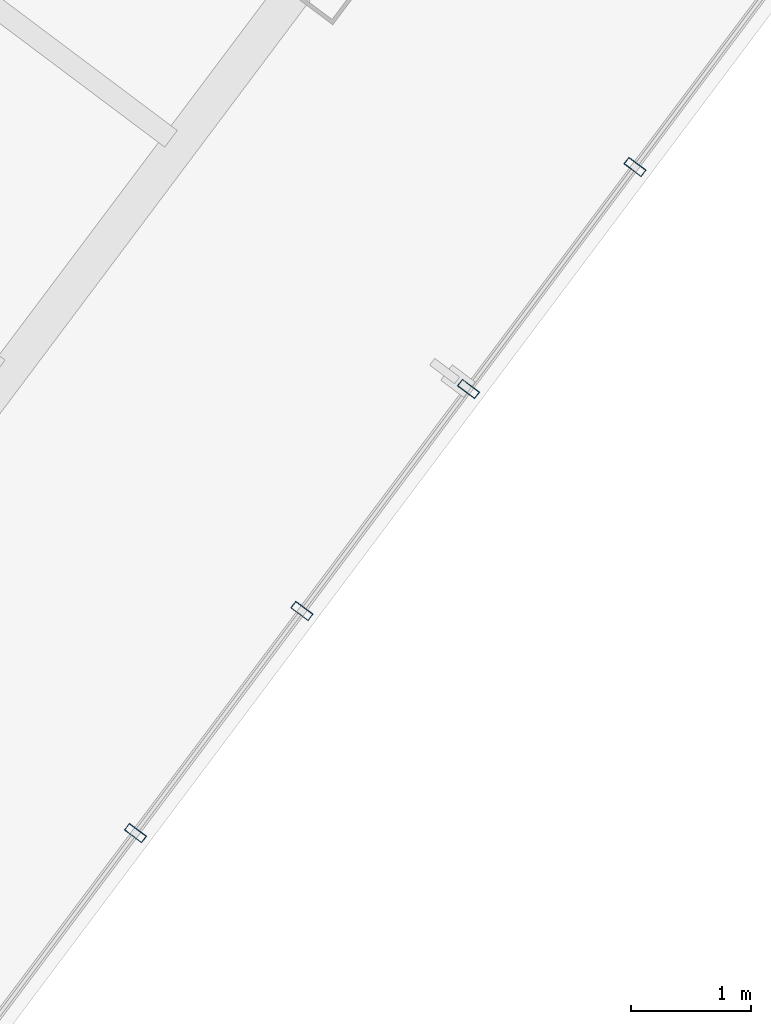
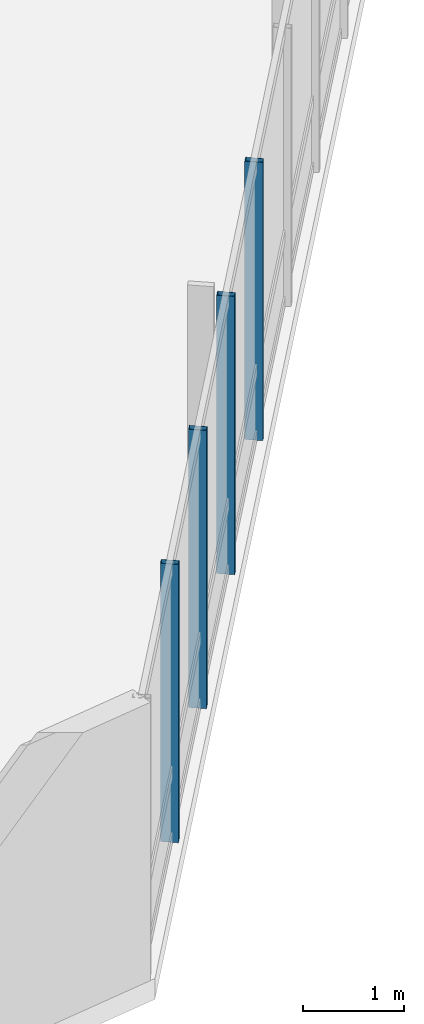
# One storey, part 8 of 29: 4 members, 1 element without a shape of its own.
"""IFC4 building model written with IfcOpenShell, lengths in metres."""

import ifcopenshell
import ifcopenshell.guid

model = None  # the IFC model being written
_history = None  # IfcOwnerHistory: only IFC2X3 demands one
_inside = {}  # id of a spatial element -> (the spatial element, [elements in it])
_under = {}  # id of a project, library or spatial element -> (it, [spatial elements below it])
_declared = {}  # id of a project -> (the project, [libraries it declares])
_typed = {}  # id of a type object -> (the type object, [elements of that type])
_made_of = {}  # id of a material, layer set ... -> (it, [elements and type objects made of it])


def new_model(schema):
    """Start an empty IFC model of exactly this schema.

    Asked for "IFC4X3", IfcOpenShell would pick the latest addendum, in which some entities
    have other attributes; the version numbers below select the first issue.
    IFC2X3 requires an IfcOwnerHistory on every rooted entity: one is made here for all.
    """
    global model, _history
    if schema == "IFC4X3":
        model = ifcopenshell.file(schema_version=(4, 3, 0, 0))
    else:
        model = ifcopenshell.file(schema=schema)
    _inside.clear()
    _under.clear()
    _declared.clear()
    _typed.clear()
    _made_of.clear()
    _history = None
    if model.schema == "IFC2X3":
        org = make("IfcOrganization", Name="unknown")
        user = make(
            "IfcPersonAndOrganization",
            ThePerson=make("IfcPerson", FamilyName="unknown"),
            TheOrganization=org,
        )
        app = make(
            "IfcApplication",
            ApplicationDeveloper=org,
            Version="unknown",
            ApplicationFullName="unknown",
            ApplicationIdentifier="unknown",
        )
        _history = make(
            "IfcOwnerHistory",
            OwningUser=user,
            OwningApplication=app,
            ChangeAction="ADDED",
            CreationDate=0,
        )
    return model


def make(cls, **values):
    """One entity of the class cls with the attributes given. An attribute that is None is left unset."""
    return model.create_entity(
        cls, **{name: value for name, value in values.items() if value is not None}
    )


def rooted(cls, **values):
    """An entity with a GlobalId (a new one), such as an element, a storey or a relation."""
    return make(cls, GlobalId=ifcopenshell.guid.new(), OwnerHistory=_history, **values)


def si_unit(unit_type, name, prefix=None):
    """IfcSIUnit, for example si_unit("LENGTHUNIT", "METRE", prefix="MILLI")."""
    return make("IfcSIUnit", UnitType=unit_type, Prefix=prefix, Name=name)


def assignment(units):
    """IfcUnitAssignment: the units of a project."""
    return None if units is None else make("IfcUnitAssignment", Units=units)


def point(xyz):
    """IfcCartesianPoint."""
    return None if xyz is None else make("IfcCartesianPoint", Coordinates=xyz)


def direction(xyz):
    """IfcDirection."""
    return None if xyz is None else make("IfcDirection", DirectionRatios=xyz)


def frame(location, z_axis=None, x_axis=None):
    """IfcAxis2Placement3D, a coordinate frame: its origin and axes. An axis left out is left unset."""
    return make(
        "IfcAxis2Placement3D",
        Location=point(location),
        Axis=direction(z_axis),
        RefDirection=direction(x_axis),
    )


def frame_2d(location, x_axis=None):
    """IfcAxis2Placement2D, a coordinate frame in the plane: its origin and x axis."""
    return make(
        "IfcAxis2Placement2D", Location=point(location), RefDirection=direction(x_axis)
    )


def origin():
    """The frame at (0, 0, 0) with its axes left unset."""
    return frame((0.0, 0.0, 0.0))


def origin_2d():
    """The frame at (0, 0) in the plane with its x axis left unset."""
    return frame_2d((0.0, 0.0))


def place(relative_to, where):
    """IfcLocalPlacement: puts the frame where relative to a parent placement (None: the world)."""
    return make(
        "IfcLocalPlacement", PlacementRelTo=relative_to, RelativePlacement=where
    )


def context(
    kind, dimensions, precision=None, world=None, true_north=None, identifier=None
):
    """IfcGeometricRepresentationContext, for example the 3D "Model" context."""
    return make(
        "IfcGeometricRepresentationContext",
        ContextIdentifier=identifier,
        ContextType=kind,
        CoordinateSpaceDimension=dimensions,
        Precision=precision,
        WorldCoordinateSystem=world,
        TrueNorth=true_north,
    )


def subcontext(parent, identifier, kind, view, scale=None):
    """IfcGeometricRepresentationSubContext, for example "Body" below "Model"."""
    return make(
        "IfcGeometricRepresentationSubContext",
        ContextIdentifier=identifier,
        ContextType=kind,
        ParentContext=parent,
        TargetScale=scale,
        TargetView=view,
    )


def project(units=None, contexts=None):
    """IfcProject with its units and contexts."""
    return rooted(
        "IfcProject",
        Name="project",
        RepresentationContexts=contexts,
        UnitsInContext=assignment(units),
    )


def spatial(cls, under=None, at=None, **own):
    """A site, building, storey or space (cls), placed at a placement, below another one or the project."""
    s = rooted(cls, ObjectPlacement=at, **own)
    if under is not None:
        _under.setdefault(under.id(), (under, []))[1].append(s)
    return s


def profile(cls, at=None, kind="AREA", **sizes):
    """A parametric profile (cls). Its sizes go by their IFC names, for example OverallWidth=200.0."""
    return make(cls, ProfileType=kind, Position=at, **sizes)


def hollow_rectangle(**sizes):
    """IfcRectangleHollowProfileDef."""
    return profile("IfcRectangleHollowProfileDef", **sizes)


def extrude(swept, where, along, depth):
    """IfcExtrudedAreaSolid: the profile swept, set in the frame where, extruded along a direction by depth."""
    return make(
        "IfcExtrudedAreaSolid",
        SweptArea=swept,
        Position=where,
        ExtrudedDirection=direction(along),
        Depth=depth,
    )


def shape(context_of_items, identifier, shape_type, items):
    """IfcShapeRepresentation: the items that make up one representation, for example the "Body"."""
    return make(
        "IfcShapeRepresentation",
        ContextOfItems=context_of_items,
        RepresentationIdentifier=identifier,
        RepresentationType=shape_type,
        Items=items,
    )


def material(Name=None, Category=None):
    """IfcMaterial."""
    return make("IfcMaterial", Name=Name, Category=Category)


def layer(
    of_material, thickness, ventilated=None, Name=None, Category=None, Priority=None
):
    """IfcMaterialLayer: one layer of a wall or slab, of a material (None: an air gap)."""
    return make(
        "IfcMaterialLayer",
        Material=of_material,
        LayerThickness=thickness,
        IsVentilated=ventilated,
        Name=Name,
        Category=Category,
        Priority=Priority,
    )


def layer_set(layers, Name=None):
    """IfcMaterialLayerSet."""
    return make("IfcMaterialLayerSet", MaterialLayers=layers, LayerSetName=Name)


def material_profile(
    of_material, cross_section, Name=None, Category=None, Priority=None
):
    """IfcMaterialProfile: a cross section and its material."""
    return make(
        "IfcMaterialProfile",
        Name=Name,
        Material=of_material,
        Profile=cross_section,
        Priority=Priority,
        Category=Category,
    )


def profile_set(profiles, Name=None, composite=None):
    """IfcMaterialProfileSet."""
    return make(
        "IfcMaterialProfileSet",
        Name=Name,
        MaterialProfiles=profiles,
        CompositeProfile=composite,
    )


def made_of(thing, what):
    """Note that an element or type object is made of a material, layer set ...; save() writes the relation."""
    if what is not None:
        _made_of.setdefault(what.id(), (what, []))[1].append(thing)
    return thing


def type_object(cls, material=None, **own):
    """A type object (cls), such as IfcWallType, which elements share."""
    return made_of(rooted(cls, **own), material)


def element(
    cls,
    number,
    at=None,
    inside=None,
    cuts=None,
    type_object=None,
    material=None,
    context=None,
    identifier="Body",
    shape_type=None,
    held_by="IfcProductDefinitionShape",
    body=None,
    shapes=None,
    **own,
):
    """One element of the class cls, such as IfcWall. Its Tag is "e" and its number.

    at: its placement. inside: the storey or other place that contains it. cuts: it is an
    opening in that element (IfcRelVoidsElement). A single representation is given by context,
    identifier, shape_type and body (its items); several are given by shapes. held_by: the class
    of the entity that holds the representations. save() writes the other relations.
    """
    e = rooted(cls, Tag="e%d" % number, ObjectPlacement=at, **own)
    if body is not None:
        shapes = [shape(context, identifier, shape_type, body)]
    if shapes is not None:
        e.Representation = make(held_by, Representations=shapes)
    if inside is not None:
        _inside.setdefault(inside.id(), (inside, []))[1].append(e)
    if cuts is not None:
        rooted(
            "IfcRelVoidsElement", RelatingBuildingElement=cuts, RelatedOpeningElement=e
        )
    if type_object is not None:
        _typed.setdefault(type_object.id(), (type_object, []))[1].append(e)
    return made_of(e, material)


def aggregate(whole, parts):
    """IfcRelAggregates: a whole, such as a stair, and the parts it consists of."""
    return rooted("IfcRelAggregates", RelatingObject=whole, RelatedObjects=parts)


def save(model, path):
    """Write the relations noted so far, then the file.

    IfcRelAggregates (storeys below a building ...), IfcRelContainedInSpatialStructure (elements
    in a storey), IfcRelDefinesByType, IfcRelAssociatesMaterial and IfcRelDeclares: one each for
    every whole, place, type object, material and project.
    """
    for whole, parts in _under.values():
        aggregate(whole, parts)
    for where, things in _inside.values():
        rooted(
            "IfcRelContainedInSpatialStructure",
            RelatedElements=things,
            RelatingStructure=where,
        )
    for kind, things in _typed.values():
        rooted("IfcRelDefinesByType", RelatedObjects=things, RelatingType=kind)
    for what, things in _made_of.values():
        rooted("IfcRelAssociatesMaterial", RelatedObjects=things, RelatingMaterial=what)
    for by, libraries in _declared.values():
        rooted("IfcRelDeclares", RelatingContext=by, RelatedDefinitions=libraries)
    model.write(path)


model = new_model("IFC4")

# Units and contexts
model_context = context("Model", 3, precision=1e-05, world=origin(), true_north=direction((0.0, 1.0)))
body_context = subcontext(model_context, "Body", "Model", "MODEL_VIEW")
ifc_project = project(units=[si_unit("LENGTHUNIT", "METRE"), si_unit("AREAUNIT", "SQUARE_METRE"), si_unit("VOLUMEUNIT", "CUBIC_METRE"), si_unit("PLANEANGLEUNIT", "RADIAN"), si_unit("MASSUNIT", "GRAM", prefix="KILO")], contexts=[model_context])

# Site, building, storey
site_placement = place(None, origin())
site = spatial("IfcSite", under=ifc_project, at=site_placement, CompositionType="ELEMENT")
building_placement = place(site_placement, origin())
building = spatial("IfcBuilding", under=site, at=building_placement, Name="Hatsunagi Terrace Concourse", CompositionType="ELEMENT")
storey_placement = place(building_placement, frame((0.0, 0.0, 104.85009765625)))
storey = spatial("IfcBuildingStorey", under=building, at=storey_placement, Name="L27", CompositionType="ELEMENT", Elevation=104.85009765625)

# Curtain wall, members
ifc_material_1 = material(Name="Anodised Aluminium Alloy 6063-T5", Category="aluminium")
ifc_layer = layer(ifc_material_1, 0.199951171875)
ifc_layer_set = layer_set([ifc_layer], Name="OfficeZone1_CW03")
curtain_wall_type = type_object("IfcCurtainWallType", Name="OfficeZone1_CW03", PredefinedType="NOTDEFINED", material=ifc_layer_set)
curtain_wall_placement = place(storey_placement, origin())
curtain_wall = element("IfcCurtainWall", 1, at=curtain_wall_placement, inside=storey, type_object=curtain_wall_type, Name="Unitised Curtain Wall CW-03 CW-L27-03", PredefinedType="NOTDEFINED")
ifc_material_2 = material(Name="Anodised Aluminium Alloy 6063-T5", Category="aluminium")
ifc_material_profile = material_profile(ifc_material_2, hollow_rectangle(XDim=0.070068359375, YDim=0.179931640625, WallThickness=0.00390625, at=origin_2d()), Name="ALU-MUL-180x70x4")
ifc_profile_set = profile_set([ifc_material_profile], Name="Anodised Aluminium Alloy 6063-T5")
member_type = type_object("IfcMemberType", Name="CurtainWallMullion_180x70", PredefinedType="MULLION", material=ifc_profile_set)
member_1_placement = place(storey_placement, frame((62.132080078125, 10.3759765625, 0.0), z_axis=(0.0, 0.0, 1.0), x_axis=(-0.599969314634, -0.800023013105, 0.0)))
member_1 = element("IfcMember", 2, at=member_1_placement, type_object=member_type, Name="Curtain Wall Mullion MUL-02", PredefinedType="MULLION", context=body_context, shape_type="SweptSolid", body=[
    extrude(hollow_rectangle(XDim=0.070068359375, YDim=0.179931640625, WallThickness=0.00390625, at=origin_2d()), origin(), (0.0, 0.0, 1.0), 3.349853515625),
])
member_2_placement = place(storey_placement, frame((60.739990234375, 8.51904296875, 0.0), z_axis=(0.0, 0.0, 1.0), x_axis=(-0.599969314634, -0.800023013105, 0.0)))
member_2 = element("IfcMember", 3, at=member_2_placement, type_object=member_type, Name="Curtain Wall Mullion MUL-02", PredefinedType="MULLION", context=body_context, shape_type="SweptSolid", body=[
    extrude(hollow_rectangle(XDim=0.070068359375, YDim=0.179931640625, WallThickness=0.00390625, at=origin_2d()), origin(), (0.0, 0.0, 1.0), 3.349853515625),
])
member_3_placement = place(storey_placement, frame((59.346923828125, 6.6630859375, 0.0), z_axis=(0.0, 0.0, 1.0), x_axis=(-0.599969314634, -0.800023013105, 0.0)))
member_3 = element("IfcMember", 4, at=member_3_placement, type_object=member_type, Name="Curtain Wall Mullion MUL-02", PredefinedType="MULLION", context=body_context, shape_type="SweptSolid", body=[
    extrude(hollow_rectangle(XDim=0.070068359375, YDim=0.179931640625, WallThickness=0.00390625, at=origin_2d()), origin(), (0.0, 0.0, 1.0), 3.349853515625),
])
member_4_placement = place(storey_placement, frame((57.955078125, 4.805908203125, 0.0), z_axis=(0.0, 0.0, 1.0), x_axis=(-0.599969314634, -0.800023013105, 0.0)))
member_4 = element("IfcMember", 5, at=member_4_placement, type_object=member_type, Name="Curtain Wall Mullion MUL-02", PredefinedType="MULLION", context=body_context, shape_type="SweptSolid", body=[
    extrude(hollow_rectangle(XDim=0.070068359375, YDim=0.179931640625, WallThickness=0.00390625, at=origin_2d()), origin(), (0.0, 0.0, 1.0), 3.349853515625),
])
aggregate(curtain_wall, [member_1, member_2, member_3, member_4])

save(model, "model.ifc")
